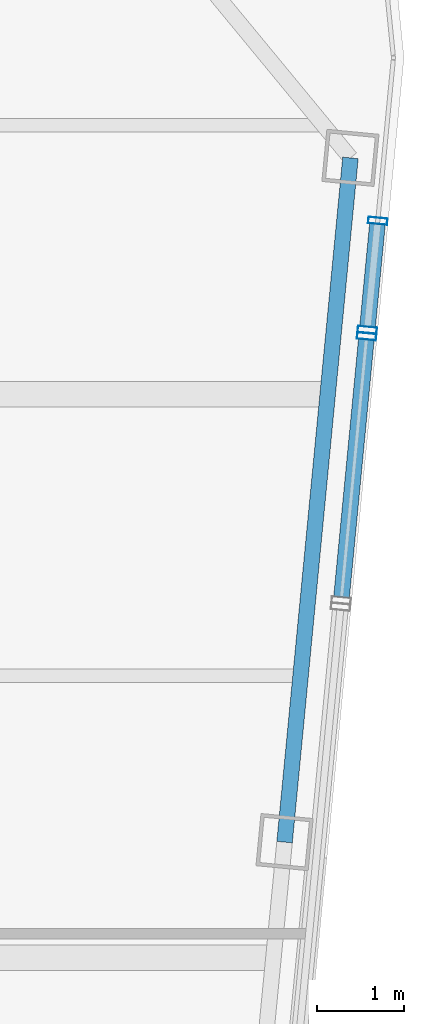
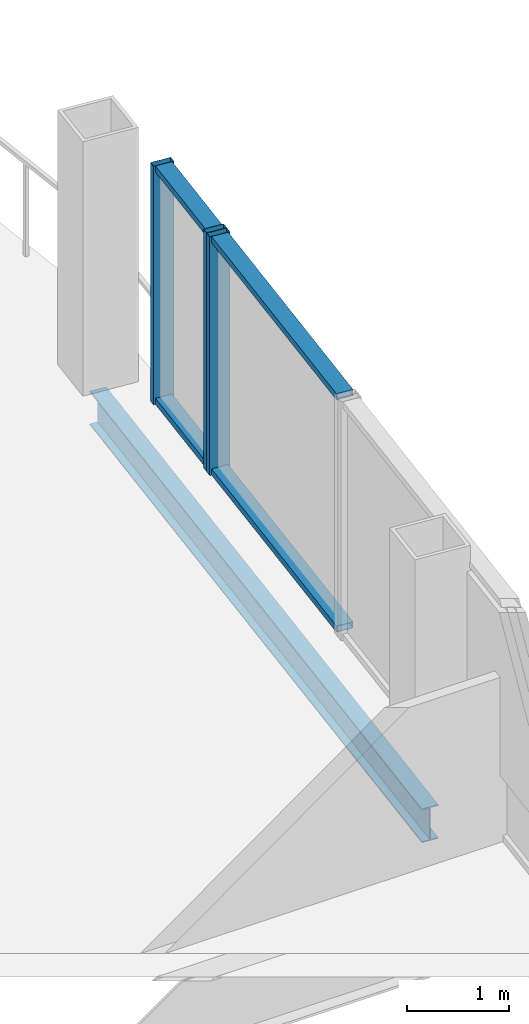
# One storey, part 12 of 23: 7 members, 1 beam, 2 elements without a shape of their own.
"""IFC4 building model written with IfcOpenShell, lengths in metres."""

from ifc_helpers import new_model, si_unit, direction, frame, origin, origin_2d, place, context, subcontext, project, spatial, hollow_rectangle, i_section, extrude, material, layer, layer_set, material_profile, profile_set, type_object, element, aggregate, save


model = new_model("IFC4")

# Units and contexts
model_context = context("Model", 3, precision=1e-05, world=origin(), true_north=direction((0.0, 1.0)))
body_context = subcontext(model_context, "Body", "Model", "MODEL_VIEW")
ifc_project = project(units=[si_unit("LENGTHUNIT", "METRE"), si_unit("AREAUNIT", "SQUARE_METRE"), si_unit("VOLUMEUNIT", "CUBIC_METRE"), si_unit("PLANEANGLEUNIT", "RADIAN"), si_unit("MASSUNIT", "GRAM", prefix="KILO")], contexts=[model_context])

# Site, building, storey
site_placement = place(None, origin())
site = spatial("IfcSite", under=ifc_project, at=site_placement, CompositionType="ELEMENT")
building_placement = place(site_placement, origin())
building = spatial("IfcBuilding", under=site, at=building_placement, Name="Qhalaya Broadcast Tower", CompositionType="ELEMENT")
storey_placement = place(building_placement, frame((0.0, 0.0, 261.14990234375)))
storey = spatial("IfcBuildingStorey", under=building, at=storey_placement, Name="L77", CompositionType="ELEMENT", Elevation=261.14990234375)

# Curtain wall, member
ifc_material_1 = material(Name="Solar-Control Low-E Triple Glazing", Category="glass")
ifc_layer_1 = layer(ifc_material_1, 0.219970703125, Name="Solar-Control Low-E Triple Glazing")
ifc_layer_set_1 = layer_set([ifc_layer_1], Name="Solar-Control Low-E Triple Glazing")
curtain_wall_type_1 = type_object("IfcCurtainWallType", Name="High-Altitude Upper-Shaft Triple Low-E Curtain Wall CW-04", PredefinedType="NOTDEFINED", material=ifc_layer_set_1)
curtain_wall_1_placement = place(storey_placement, origin())
curtain_wall_1 = element("IfcCurtainWall", 1, at=curtain_wall_1_placement, inside=storey, type_object=curtain_wall_type_1, Name="L77 Unitised Curtain Wall L77-CW-E6", PredefinedType="NOTDEFINED")
ifc_material_2 = material(Name="Anodised Aluminium 6063-T6", Category="aluminium")
ifc_material_profile_1 = material_profile(ifc_material_2, hollow_rectangle(XDim=0.074951171875, YDim=0.219970703125, WallThickness=0.00390625, at=origin_2d()), Name="ALU-MUL 75x220x4")
ifc_profile_set_1 = profile_set([ifc_material_profile_1], Name="Anodised Aluminium 6063-T6")
member_type_1 = type_object("IfcMemberType", Name="Unitised Curtain-Wall Mullion M01", PredefinedType="MULLION", material=ifc_profile_set_1)
member_1_placement = place(storey_placement, frame((22.275390625, 4.485595703125, 0.0), z_axis=(0.0, 0.0, 1.0), x_axis=(0.095854552953, 0.995395350943, 0.0)))
member_1 = element("IfcMember", 2, at=member_1_placement, type_object=member_type_1, Name="CW-04 mullion 2", PredefinedType="MULLION", context=body_context, shape_type="SweptSolid", body=[
    extrude(hollow_rectangle(XDim=0.074951171875, YDim=0.219970703125, WallThickness=0.00390625, at=origin_2d()), origin(), (0.0, 0.0, 1.0), 2.860107421875),
])

# Curtain wall, members
ifc_material_3 = material(Name="Fired Architectural Terracotta", Category="masonry")
ifc_layer_2 = layer(ifc_material_3, 0.219970703125, Name="Fired Architectural Terracotta")
ifc_layer_set_2 = layer_set([ifc_layer_2], Name="Fired Architectural Terracotta")
curtain_wall_type_2 = type_object("IfcCurtainWallType", Name="Block-Cap Unitised Terracotta Spandrel Wall CW-07", PredefinedType="NOTDEFINED", material=ifc_layer_set_2)
curtain_wall_2_placement = place(storey_placement, origin())
curtain_wall_2 = element("IfcCurtainWall", 3, at=curtain_wall_2_placement, inside=storey, type_object=curtain_wall_type_2, Name="L77 Unitised Curtain Wall L77-CW-E7", PredefinedType="NOTDEFINED")
member_2_placement = place(storey_placement, frame((22.28271484375, 4.560302734375, 0.0), z_axis=(0.0, 0.0, 1.0), x_axis=(0.095857322215, 0.995395084264, 0.0)))
member_2 = element("IfcMember", 4, at=member_2_placement, type_object=member_type_1, Name="CW-07 mullion 1", PredefinedType="MULLION", context=body_context, shape_type="SweptSolid", body=[
    extrude(hollow_rectangle(XDim=0.074951171875, YDim=0.219970703125, WallThickness=0.00390625, at=origin_2d()), origin(), (0.0, 0.0, 1.0), 2.860107421875),
])
member_3_placement = place(storey_placement, frame((22.40283203125, 5.8076171875, 0.0), z_axis=(0.0, 0.0, 1.0), x_axis=(0.095857322215, 0.995395084264, 0.0)))
member_3 = element("IfcMember", 5, at=member_3_placement, type_object=member_type_1, Name="CW-07 mullion 2", PredefinedType="MULLION", context=body_context, shape_type="SweptSolid", body=[
    extrude(hollow_rectangle(XDim=0.074951171875, YDim=0.219970703125, WallThickness=0.00390625, at=origin_2d()), origin(), (0.0, 0.0, 1.0), 2.860107421875),
])

# Member
ifc_material_profile_2 = material_profile(ifc_material_2, hollow_rectangle(XDim=0.074951171875, YDim=0.179931640625, WallThickness=0.00390625, at=origin_2d()), Name="ALU-TRN 75x180x4")
ifc_profile_set_2 = profile_set([ifc_material_profile_2], Name="Anodised Aluminium 6063-T6")
member_type_2 = type_object("IfcMemberType", Name="Unitised Curtain-Wall Transom T01", PredefinedType="USERDEFINED", material=ifc_profile_set_2)
member_4_placement = place(storey_placement, frame((21.98828125, 1.501953125, 0.03759765625), z_axis=(0.095844425832, 0.995396326112, 0.0), x_axis=(0.0, 0.0, 1.0)))
member_4 = element("IfcMember", 6, at=member_4_placement, type_object=member_type_2, Name="CW-04 transom 1.1", ObjectType="TRANSOM", PredefinedType="USERDEFINED", context=body_context, shape_type="SweptSolid", body=[
    extrude(hollow_rectangle(XDim=0.074951171875, YDim=0.179931640625, WallThickness=0.00390625, at=origin_2d()), origin(), (0.0, 0.0, 1.0), 2.9599609375),
])

member_5_placement = place(storey_placement, frame((21.98828125, 1.501953125, 2.822509765625), z_axis=(0.095844425832, 0.995396326112, 0.0), x_axis=(0.0, 0.0, 1.0)))
member_5 = element("IfcMember", 7, at=member_5_placement, type_object=member_type_2, Name="CW-04 transom 1.2", ObjectType="TRANSOM", PredefinedType="USERDEFINED", context=body_context, shape_type="SweptSolid", body=[
    extrude(hollow_rectangle(XDim=0.074951171875, YDim=0.179931640625, WallThickness=0.00390625, at=origin_2d()), origin(), (0.0, 0.0, 1.0), 2.9599609375),
])

aggregate(curtain_wall_1, [member_1, member_4, member_5])

member_6_placement = place(storey_placement, frame((22.286376953125, 4.59765625, 0.03759765625), z_axis=(0.095747947597, 0.995405611061, 0.0), x_axis=(0.0, 0.0, 1.0)))
member_6 = element("IfcMember", 8, at=member_6_placement, type_object=member_type_2, Name="CW-07 transom 1.1", ObjectType="TRANSOM", PredefinedType="USERDEFINED", context=body_context, shape_type="SweptSolid", body=[
    extrude(hollow_rectangle(XDim=0.074951171875, YDim=0.179931640625, WallThickness=0.00390625, at=origin_2d()), origin(), (0.0, 0.0, 1.0), 1.177978515625),
])

member_7_placement = place(storey_placement, frame((22.286376953125, 4.59765625, 2.822509765625), z_axis=(0.095747947597, 0.995405611061, 0.0), x_axis=(0.0, 0.0, 1.0)))
member_7 = element("IfcMember", 9, at=member_7_placement, type_object=member_type_2, Name="CW-07 transom 1.2", ObjectType="TRANSOM", PredefinedType="USERDEFINED", context=body_context, shape_type="SweptSolid", body=[
    extrude(hollow_rectangle(XDim=0.074951171875, YDim=0.179931640625, WallThickness=0.00390625, at=origin_2d()), origin(), (0.0, 0.0, 1.0), 1.177978515625),
])

aggregate(curtain_wall_2, [member_2, member_3, member_6, member_7])

# Beam
ifc_material_4 = material(Name="Structural Steel ASTM A992 Grade 50", Category="steel")
ifc_material_profile_3 = material_profile(ifc_material_4, i_section(OverallWidth=0.177978515625, OverallDepth=0.406005859375, WebThickness=0.0078125, FlangeThickness=0.0126953125, at=origin_2d()), Name="W16X40")
ifc_profile_set_3 = profile_set([ifc_material_profile_3], Name="Structural Steel ASTM A992 Grade 50")
beam_type = type_object("IfcBeamType", Name="Upper Perimeter Spandrel Beam SP2", PredefinedType="SPANDREL", material=ifc_profile_set_3)
beam_placement = place(storey_placement, frame((21.33642578125, -1.302001953125, -0.392822265625), z_axis=(0.095837184179, 0.995397023367, 0.0), x_axis=(-0.995397023367, 0.095837184179, 0.0)))
element("IfcBeam", 10, at=beam_placement, inside=storey, type_object=beam_type, Name="L77 SP2 L77-SPR-07", PredefinedType="SPANDREL", context=body_context, shape_type="SweptSolid", body=[
    extrude(i_section(OverallWidth=0.177978515625, OverallDepth=0.406005859375, WebThickness=0.0078125, FlangeThickness=0.0126953125, at=origin_2d()), origin(), (0.0, 0.0, 1.0), 7.866455078125),
])

save(model, "model.ifc")
